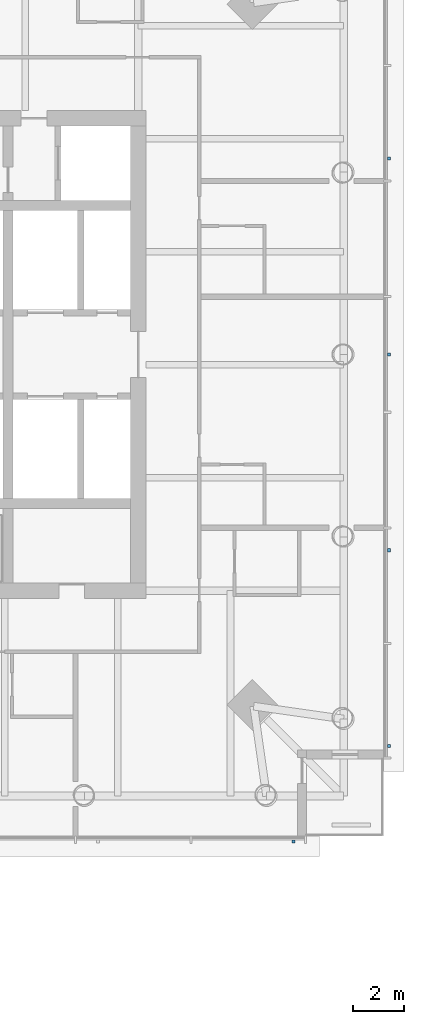
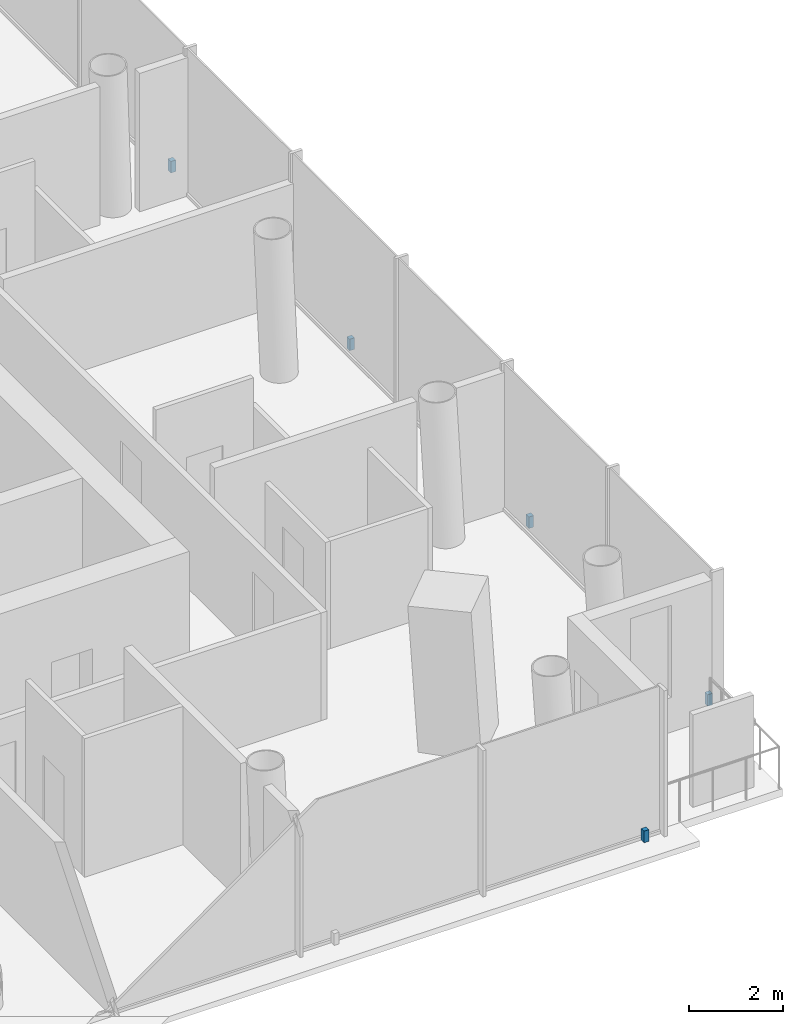
# One storey, part 19 of 22: 5 discrete accessories.
"""IFC4 building model written with IfcOpenShell, lengths in metres."""

from ifc_helpers import new_model, si_unit, direction, frame, origin, origin_2d, place, context, subcontext, project, spatial, rectangle, extrude, material, type_object, element, save


model = new_model("IFC4")

# Units and contexts
model_context = context("Model", 3, precision=1e-05, world=origin(), true_north=direction((0.0, 1.0)))
body_context = subcontext(model_context, "Body", "Model", "MODEL_VIEW")
ifc_project = project(units=[si_unit("LENGTHUNIT", "METRE"), si_unit("AREAUNIT", "SQUARE_METRE"), si_unit("VOLUMEUNIT", "CUBIC_METRE"), si_unit("PLANEANGLEUNIT", "RADIAN"), si_unit("MASSUNIT", "GRAM", prefix="KILO")], contexts=[model_context])

# Site, building, storey
site_placement = place(None, origin())
site = spatial("IfcSite", under=ifc_project, at=site_placement, CompositionType="ELEMENT")
building_placement = place(site_placement, origin())
building = spatial("IfcBuilding", under=site, at=building_placement, Name="Ostroluk Exchange", CompositionType="ELEMENT")
storey_placement = place(building_placement, frame((0.0, 0.0, 62.800048828125)))
storey = spatial("IfcBuildingStorey", under=building, at=storey_placement, Name="L15", CompositionType="ELEMENT", Elevation=62.800048828125)

# Discrete accessories
ifc_material = material(Name="Stainless steel", Category="steel")
discrete_accessory_type = type_object("IfcDiscreteAccessoryType", Name="Fall-arrest anchor PN-EN 795 type C", PredefinedType="USERDEFINED", material=ifc_material)
for number, where, z_axis, x_axis, name in (
    (1, (132.25, 27.0400390625, 0.0), (0.0, 0.0, 1.0), (1.0, 0.0, 0.0), "Fall-arrest anchor L15 south 5"),
    (2, (135.9599609375, 30.75, 0.0), (0.0, 0.0, 1.0), (1.0, 0.0, 0.0), "Fall-arrest anchor L15 east 1"),
    (3, (135.9599609375, 38.375, 0.0), (0.0, 0.0, 1.0), (1.0, 0.0, 0.0), "Fall-arrest anchor L15 east 2"),
    (4, (135.9599609375, 46.0, 0.0), (0.0, 0.0, 1.0), (1.0, 0.0, 0.0), "Fall-arrest anchor L15 east 3"),
    (5, (135.9599609375, 53.625, 0.0), (0.0, 0.0, 1.0), (1.0, 0.0, 0.0), "Fall-arrest anchor L15 east 4"),
):
    element("IfcDiscreteAccessory", number, at=place(storey_placement, frame(where, z_axis=z_axis, x_axis=x_axis)), inside=storey, type_object=discrete_accessory_type, Name=name, ObjectType="FALL ARREST ANCHOR", PredefinedType="USERDEFINED", context=body_context, shape_type="SweptSolid", body=[
        extrude(rectangle(XDim=0.1201171875, YDim=0.1201171875, at=origin_2d()), origin(), (0.0, 0.0, 1.0), 0.300048828125),
    ])

save(model, "model.ifc")
